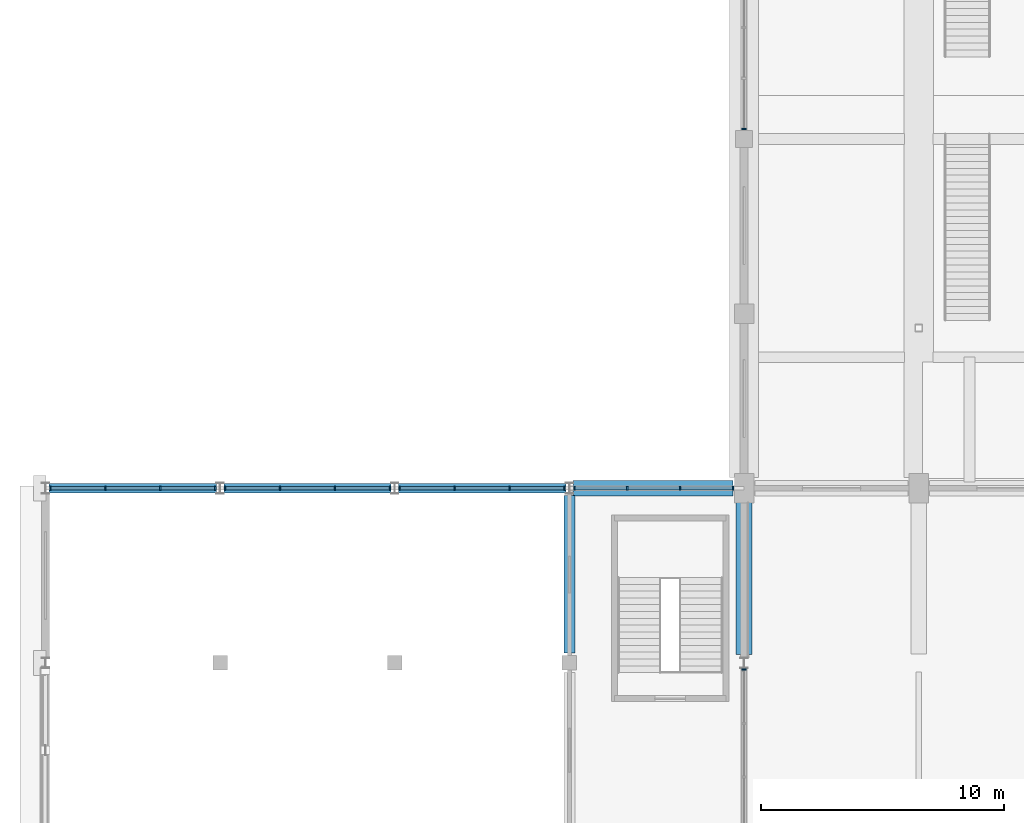
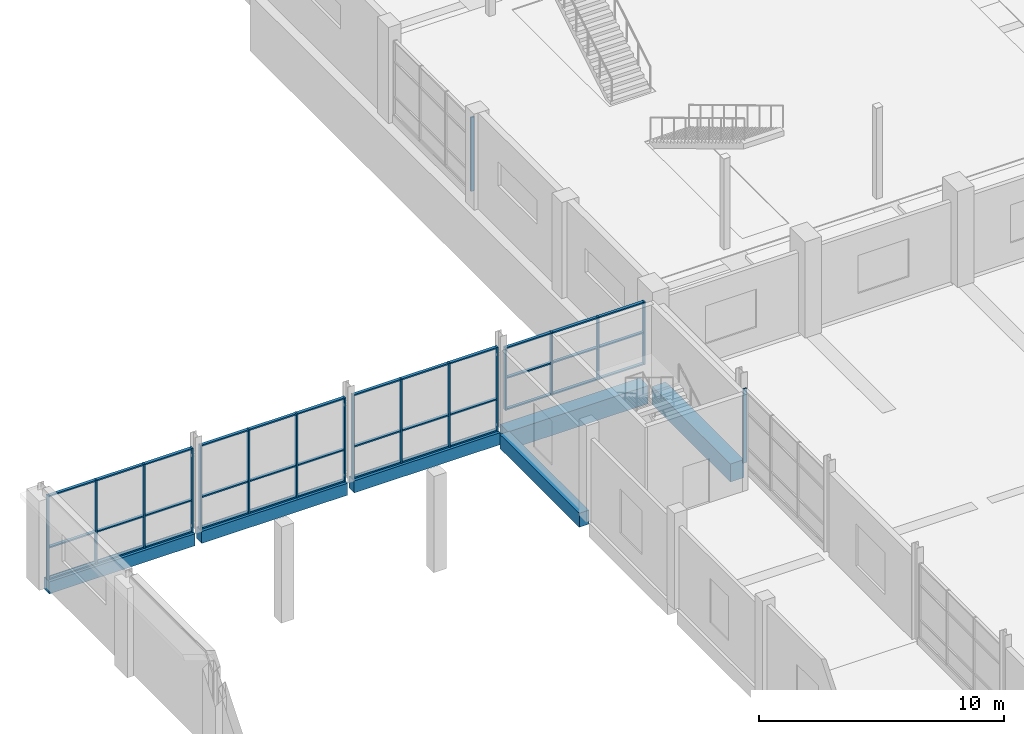
# One storey, part 33 of 82: 54 members, 6 beams, 6 elements without a shape of their own.
"""IFC4 building model written with IfcOpenShell, lengths in metres."""

from ifc_helpers import new_model, si_unit, direction, frame, origin, origin_2d, place, context, subcontext, project, spatial, rectangle, extrude, material, material_profile, profile_set, type_object, element, aggregate, save


model = new_model("IFC4")

# Units and contexts
model_context = context("Model", 3, precision=1e-05, world=origin(), true_north=direction((0.0, 1.0)))
body_context = subcontext(model_context, "Body", "Model", "MODEL_VIEW")
ifc_project = project(units=[si_unit("LENGTHUNIT", "METRE"), si_unit("AREAUNIT", "SQUARE_METRE"), si_unit("VOLUMEUNIT", "CUBIC_METRE"), si_unit("PLANEANGLEUNIT", "RADIAN"), si_unit("MASSUNIT", "GRAM", prefix="KILO")], contexts=[model_context])

# Site, building, storey
site_placement = place(None, origin())
site = spatial("IfcSite", under=ifc_project, at=site_placement, CompositionType="ELEMENT")
building_placement = place(site_placement, origin())
building = spatial("IfcBuilding", under=site, at=building_placement, Name="Sardonyx Promenade Sports Hall", CompositionType="ELEMENT")
storey_placement = place(building_placement, frame((0.0, 0.0, 11.199951171875)))
storey = spatial("IfcBuildingStorey", under=building, at=storey_placement, Name="L02", CompositionType="ELEMENT", Elevation=11.199951171875)

# Beams
ifc_material_1 = material(Name="Concrete C50/60", Category="concrete")
ifc_material_profile_1 = material_profile(ifc_material_1, rectangle(XDim=0.64990234375, YDim=0.89990234375, at=origin_2d()))
ifc_profile_set_1 = profile_set([ifc_material_profile_1], Name="Concrete C50/60")
beam_type_1 = type_object("IfcBeamType", Name="Bm_Girder_RC900", PredefinedType="BEAM", material=ifc_profile_set_1)
beam_1_placement = place(storey_placement, frame((21.75, 72.0, -0.449951171875), z_axis=(1.0, 0.0, 0.0), x_axis=(0.0, 1.0, 0.0)))
element("IfcBeam", 1, at=beam_1_placement, inside=storey, type_object=beam_type_1, Name="Beam BG03 L02 #550", PredefinedType="BEAM", context=body_context, shape_type="SweptSolid", body=[
    extrude(rectangle(XDim=0.64990234375, YDim=0.89990234375, at=origin_2d()), origin(), (0.0, 0.0, 1.0), 6.60009765625),
])
beam_2_placement = place(storey_placement, frame((28.800048828125, 65.14990234375, -0.449951171875), z_axis=(0.0, 1.0, 0.0), x_axis=(-1.0, 0.0, 0.0)))
element("IfcBeam", 2, at=beam_2_placement, inside=storey, type_object=beam_type_1, Name="Beam BG03 L02 #588", PredefinedType="BEAM", context=body_context, shape_type="SweptSolid", body=[
    extrude(rectangle(XDim=0.64990234375, YDim=0.89990234375, at=origin_2d()), origin(), (0.0, 0.0, 1.0), 6.400146484375),
])
ifc_material_2 = material(Name="Concrete C40/50", Category="concrete")
ifc_material_profile_2 = material_profile(ifc_material_2, rectangle(XDim=0.449951171875, YDim=0.699951171875, at=origin_2d()))
ifc_profile_set_2 = profile_set([ifc_material_profile_2], Name="Concrete C40/50")
beam_type_2 = type_object("IfcBeamType", Name="Bm_Primary_RC700", PredefinedType="BEAM", material=ifc_profile_set_2)
beam_3_placement = place(storey_placement, frame((21.60009765625, 65.199951171875, -0.349853515625), z_axis=(0.0, 1.0, 0.0), x_axis=(-1.0, 0.0, 0.0)))
element("IfcBeam", 3, at=beam_3_placement, inside=storey, type_object=beam_type_2, Name="Beam BG01 L02 #578", PredefinedType="BEAM", context=body_context, shape_type="SweptSolid", body=[
    extrude(rectangle(XDim=0.449951171875, YDim=0.699951171875, at=origin_2d()), origin(), (0.0, 0.0, 1.0), 6.505126953125),
])
ifc_material_3 = material(Name="Concrete C40/50", Category="concrete")
ifc_material_profile_3 = material_profile(ifc_material_3, rectangle(XDim=0.39990234375, YDim=0.60009765625, at=origin_2d()))
ifc_profile_set_3 = profile_set([ifc_material_profile_3], Name="Concrete C40/50")
beam_type_3 = type_object("IfcBeamType", Name="Bm_Spandrel_RC600", PredefinedType="SPANDREL", material=ifc_profile_set_3)
beam_4_placement = place(storey_placement, frame((0.14990234375, 72.0, -0.300048828125), z_axis=(1.0, 0.0, 0.0), x_axis=(0.0, 1.0, 0.0)))
element("IfcBeam", 4, at=beam_4_placement, inside=storey, type_object=beam_type_3, Name="Beam SPB1 L02 #547", PredefinedType="SPANDREL", context=body_context, shape_type="SweptSolid", body=[
    extrude(rectangle(XDim=0.39990234375, YDim=0.60009765625, at=origin_2d()), origin(), (0.0, 0.0, 1.0), 6.900146484375),
])
for number, where, z_axis, x_axis, name in (
    (5, (7.35009765625, 72.0, -0.300048828125), (1.0, 0.0, 0.0), (0.0, 1.0, 0.0), "Beam SPB1 L02 #548"),
    (6, (14.550048828125, 72.0, -0.300048828125), (1.0, 0.0, 0.0), (0.0, 1.0, 0.0), "Beam SPB1 L02 #549"),
):
    element("IfcBeam", number, at=place(storey_placement, frame(where, z_axis=z_axis, x_axis=x_axis)), inside=storey, type_object=beam_type_3, Name=name, PredefinedType="SPANDREL", context=body_context, shape_type="SweptSolid", body=[
        extrude(rectangle(XDim=0.39990234375, YDim=0.60009765625, at=origin_2d()), origin(), (0.0, 0.0, 1.0), 6.89990234375),
    ])

# Curtain wall, members
ifc_material_4 = material(Name="Aluminium 6063-T6", Category="aluminium")
curtain_wall_type_1 = type_object("IfcCurtainWallType", Name="CW_Climb_Clerestory", PredefinedType="USERDEFINED", material=ifc_material_4)
curtain_wall_1_placement = place(storey_placement, origin())
curtain_wall_1 = element("IfcCurtainWall", 7, at=curtain_wall_1_placement, inside=storey, type_object=curtain_wall_type_1, Name="Curtain wall CW12 cw:L02:076", ObjectType="CURTAIN WALL", PredefinedType="USERDEFINED")
ifc_material_5 = material(Name="Aluminium 6063-T6", Category="aluminium")
ifc_material_profile_4 = material_profile(ifc_material_5, rectangle(XDim=0.06494140625, YDim=0.175048828125, at=origin_2d()))
ifc_profile_set_4 = profile_set([ifc_material_profile_4], Name="Aluminium 6063-T6")
member_type_1 = type_object("IfcMemberType", Name="CW_Mull_175", PredefinedType="MULLION", material=ifc_profile_set_4)
member_1_placement = place(storey_placement, frame((0.202392578125, 72.0, 0.0), z_axis=(0.0, 0.0, 1.0), x_axis=(1.0, 0.0, 0.0)))
member_1 = element("IfcMember", 8, at=member_1_placement, type_object=member_type_1, Name="Mullion CM02 cw:L02:076 #1", PredefinedType="MULLION", context=body_context, shape_type="SweptSolid", body=[
    extrude(rectangle(XDim=0.06494140625, YDim=0.175048828125, at=origin_2d()), origin(), (0.0, 0.0, 1.0), 4.199951171875),
])
member_2_placement = place(storey_placement, frame((2.467529296875, 72.0, 0.0), z_axis=(0.0, 0.0, 1.0), x_axis=(1.0, 0.0, 0.0)))
member_2 = element("IfcMember", 9, at=member_2_placement, type_object=member_type_1, Name="Mullion CM02 cw:L02:076 #2", PredefinedType="MULLION", context=body_context, shape_type="SweptSolid", body=[
    extrude(rectangle(XDim=0.06494140625, YDim=0.175048828125, at=origin_2d()), origin(), (0.0, 0.0, 1.0), 4.199951171875),
])
member_3_placement = place(storey_placement, frame((4.732421875, 72.0, 0.0), z_axis=(0.0, 0.0, 1.0), x_axis=(1.0, 0.0, 0.0)))
member_3 = element("IfcMember", 10, at=member_3_placement, type_object=member_type_1, Name="Mullion CM02 cw:L02:076 #3", PredefinedType="MULLION", context=body_context, shape_type="SweptSolid", body=[
    extrude(rectangle(XDim=0.06494140625, YDim=0.175048828125, at=origin_2d()), origin(), (0.0, 0.0, 1.0), 4.199951171875),
])
member_4_placement = place(storey_placement, frame((6.99755859375, 72.0, 0.0), z_axis=(0.0, 0.0, 1.0), x_axis=(1.0, 0.0, 0.0)))
member_4 = element("IfcMember", 11, at=member_4_placement, type_object=member_type_1, Name="Mullion CM02 cw:L02:076 #4", PredefinedType="MULLION", context=body_context, shape_type="SweptSolid", body=[
    extrude(rectangle(XDim=0.06494140625, YDim=0.175048828125, at=origin_2d()), origin(), (0.0, 0.0, 1.0), 4.199951171875),
])

curtain_wall_2_placement = place(storey_placement, origin())
curtain_wall_2 = element("IfcCurtainWall", 12, at=curtain_wall_2_placement, inside=storey, type_object=curtain_wall_type_1, Name="Curtain wall CW12 cw:L02:077", ObjectType="CURTAIN WALL", PredefinedType="USERDEFINED")
member_5_placement = place(storey_placement, frame((7.402587890625, 72.0, 0.0), z_axis=(0.0, 0.0, 1.0), x_axis=(1.0, 0.0, 0.0)))
member_5 = element("IfcMember", 13, at=member_5_placement, type_object=member_type_1, Name="Mullion CM02 cw:L02:077 #1", PredefinedType="MULLION", context=body_context, shape_type="SweptSolid", body=[
    extrude(rectangle(XDim=0.06494140625, YDim=0.175048828125, at=origin_2d()), origin(), (0.0, 0.0, 1.0), 4.199951171875),
])
member_6_placement = place(storey_placement, frame((9.66748046875, 72.0, 0.0), z_axis=(0.0, 0.0, 1.0), x_axis=(1.0, 0.0, 0.0)))
member_6 = element("IfcMember", 14, at=member_6_placement, type_object=member_type_1, Name="Mullion CM02 cw:L02:077 #2", PredefinedType="MULLION", context=body_context, shape_type="SweptSolid", body=[
    extrude(rectangle(XDim=0.06494140625, YDim=0.175048828125, at=origin_2d()), origin(), (0.0, 0.0, 1.0), 4.199951171875),
])
member_7_placement = place(storey_placement, frame((11.9326171875, 72.0, 0.0), z_axis=(0.0, 0.0, 1.0), x_axis=(1.0, 0.0, 0.0)))
member_7 = element("IfcMember", 15, at=member_7_placement, type_object=member_type_1, Name="Mullion CM02 cw:L02:077 #3", PredefinedType="MULLION", context=body_context, shape_type="SweptSolid", body=[
    extrude(rectangle(XDim=0.06494140625, YDim=0.175048828125, at=origin_2d()), origin(), (0.0, 0.0, 1.0), 4.199951171875),
])
member_8_placement = place(storey_placement, frame((14.197509765625, 72.0, 0.0), z_axis=(0.0, 0.0, 1.0), x_axis=(1.0, 0.0, 0.0)))
member_8 = element("IfcMember", 16, at=member_8_placement, type_object=member_type_1, Name="Mullion CM02 cw:L02:077 #4", PredefinedType="MULLION", context=body_context, shape_type="SweptSolid", body=[
    extrude(rectangle(XDim=0.06494140625, YDim=0.175048828125, at=origin_2d()), origin(), (0.0, 0.0, 1.0), 4.199951171875),
])

curtain_wall_3_placement = place(storey_placement, origin())
curtain_wall_3 = element("IfcCurtainWall", 17, at=curtain_wall_3_placement, inside=storey, type_object=curtain_wall_type_1, Name="Curtain wall CW12 cw:L02:078", ObjectType="CURTAIN WALL", PredefinedType="USERDEFINED")
member_9_placement = place(storey_placement, frame((14.6025390625, 72.0, 0.0), z_axis=(0.0, 0.0, 1.0), x_axis=(1.0, 0.0, 0.0)))
member_9 = element("IfcMember", 18, at=member_9_placement, type_object=member_type_1, Name="Mullion CM02 cw:L02:078 #1", PredefinedType="MULLION", context=body_context, shape_type="SweptSolid", body=[
    extrude(rectangle(XDim=0.06494140625, YDim=0.175048828125, at=origin_2d()), origin(), (0.0, 0.0, 1.0), 4.199951171875),
])
member_10_placement = place(storey_placement, frame((16.867431640625, 72.0, 0.0), z_axis=(0.0, 0.0, 1.0), x_axis=(1.0, 0.0, 0.0)))
member_10 = element("IfcMember", 19, at=member_10_placement, type_object=member_type_1, Name="Mullion CM02 cw:L02:078 #2", PredefinedType="MULLION", context=body_context, shape_type="SweptSolid", body=[
    extrude(rectangle(XDim=0.06494140625, YDim=0.175048828125, at=origin_2d()), origin(), (0.0, 0.0, 1.0), 4.199951171875),
])
member_11_placement = place(storey_placement, frame((19.132568359375, 72.0, 0.0), z_axis=(0.0, 0.0, 1.0), x_axis=(1.0, 0.0, 0.0)))
member_11 = element("IfcMember", 20, at=member_11_placement, type_object=member_type_1, Name="Mullion CM02 cw:L02:078 #3", PredefinedType="MULLION", context=body_context, shape_type="SweptSolid", body=[
    extrude(rectangle(XDim=0.06494140625, YDim=0.175048828125, at=origin_2d()), origin(), (0.0, 0.0, 1.0), 4.199951171875),
])
member_12_placement = place(storey_placement, frame((21.3974609375, 72.0, 0.0), z_axis=(0.0, 0.0, 1.0), x_axis=(1.0, 0.0, 0.0)))
member_12 = element("IfcMember", 21, at=member_12_placement, type_object=member_type_1, Name="Mullion CM02 cw:L02:078 #4", PredefinedType="MULLION", context=body_context, shape_type="SweptSolid", body=[
    extrude(rectangle(XDim=0.06494140625, YDim=0.175048828125, at=origin_2d()), origin(), (0.0, 0.0, 1.0), 4.199951171875),
])

curtain_wall_4_placement = place(storey_placement, origin())
curtain_wall_4 = element("IfcCurtainWall", 22, at=curtain_wall_4_placement, inside=storey, type_object=curtain_wall_type_1, Name="Curtain wall CW12 cw:L02:079", ObjectType="CURTAIN WALL", PredefinedType="USERDEFINED")
member_13_placement = place(storey_placement, frame((21.802490234375, 72.0, 0.900146484375), z_axis=(0.0, 0.0, 1.0), x_axis=(1.0, 0.0, 0.0)))
member_13 = element("IfcMember", 23, at=member_13_placement, type_object=member_type_1, Name="Mullion CM02 cw:L02:079 #1", PredefinedType="MULLION", context=body_context, shape_type="SweptSolid", body=[
    extrude(rectangle(XDim=0.06494140625, YDim=0.175048828125, at=origin_2d()), origin(), (0.0, 0.0, 1.0), 3.135009765625),
])
member_14_placement = place(storey_placement, frame((23.984130859375, 72.0, 0.900146484375), z_axis=(0.0, 0.0, 1.0), x_axis=(1.0, 0.0, 0.0)))
member_14 = element("IfcMember", 24, at=member_14_placement, type_object=member_type_1, Name="Mullion CM02 cw:L02:079 #2", PredefinedType="MULLION", context=body_context, shape_type="SweptSolid", body=[
    extrude(rectangle(XDim=0.06494140625, YDim=0.175048828125, at=origin_2d()), origin(), (0.0, 0.0, 1.0), 3.135009765625),
])
member_15_placement = place(storey_placement, frame((26.165771484375, 72.0, 0.900146484375), z_axis=(0.0, 0.0, 1.0), x_axis=(1.0, 0.0, 0.0)))
member_15 = element("IfcMember", 25, at=member_15_placement, type_object=member_type_1, Name="Mullion CM02 cw:L02:079 #3", PredefinedType="MULLION", context=body_context, shape_type="SweptSolid", body=[
    extrude(rectangle(XDim=0.06494140625, YDim=0.175048828125, at=origin_2d()), origin(), (0.0, 0.0, 1.0), 3.135009765625),
])
member_16_placement = place(storey_placement, frame((28.347412109375, 72.0, 0.900146484375), z_axis=(0.0, 0.0, 1.0), x_axis=(1.0, 0.0, 0.0)))
member_16 = element("IfcMember", 26, at=member_16_placement, type_object=member_type_1, Name="Mullion CM02 cw:L02:079 #4", PredefinedType="MULLION", context=body_context, shape_type="SweptSolid", body=[
    extrude(rectangle(XDim=0.06494140625, YDim=0.175048828125, at=origin_2d()), origin(), (0.0, 0.0, 1.0), 3.135009765625),
])

# Curtain wall, member
ifc_material_6 = material(Name="Aluminium 6063-T6", Category="aluminium")
curtain_wall_type_2 = type_object("IfcCurtainWallType", Name="CW_South_L02_640", PredefinedType="USERDEFINED", material=ifc_material_6)
curtain_wall_5_placement = place(storey_placement, origin())
curtain_wall_5 = element("IfcCurtainWall", 27, at=curtain_wall_5_placement, inside=storey, type_object=curtain_wall_type_2, Name="Curtain wall CW01 cw:L02:146", ObjectType="CURTAIN WALL", PredefinedType="USERDEFINED")
member_17_placement = place(storey_placement, frame((28.800048828125, 86.802490234375, 0.400146484375), z_axis=(0.0, 0.0, 1.0), x_axis=(0.0, 1.0, 0.0)))
member_17 = element("IfcMember", 28, at=member_17_placement, type_object=member_type_1, Name="Mullion CM02 cw:L02:146 #1", PredefinedType="MULLION", context=body_context, shape_type="SweptSolid", body=[
    extrude(rectangle(XDim=0.06494140625, YDim=0.175048828125, at=origin_2d()), origin(), (0.0, 0.0, 1.0), 3.699951171875),
])
aggregate(curtain_wall_5, [member_17])

curtain_wall_6_placement = place(storey_placement, origin())
curtain_wall_6 = element("IfcCurtainWall", 29, at=curtain_wall_6_placement, inside=storey, type_object=curtain_wall_type_2, Name="Curtain wall CW01 cw:L02:152", ObjectType="CURTAIN WALL", PredefinedType="USERDEFINED")
member_18_placement = place(storey_placement, frame((28.800048828125, 64.527587890625, 0.35009765625), z_axis=(0.0, 0.0, 1.0), x_axis=(0.0, -1.0, 0.0)))
member_18 = element("IfcMember", 30, at=member_18_placement, type_object=member_type_1, Name="Mullion CM02 cw:L02:152 #1", PredefinedType="MULLION", context=body_context, shape_type="SweptSolid", body=[
    extrude(rectangle(XDim=0.06494140625, YDim=0.175048828125, at=origin_2d()), origin(), (0.0, 0.0, 1.0), 3.699951171875),
])
aggregate(curtain_wall_6, [member_18])

# Member
ifc_material_7 = material(Name="Aluminium 6063-T6", Category="aluminium")
ifc_material_profile_5 = material_profile(ifc_material_7, rectangle(XDim=0.06494140625, YDim=0.139892578125, at=origin_2d()))
ifc_profile_set_5 = profile_set([ifc_material_profile_5], Name="Aluminium 6063-T6")
member_type_2 = type_object("IfcMemberType", Name="CW_Tran_140", PredefinedType="USERDEFINED", material=ifc_profile_set_5)
member_19_placement = place(storey_placement, frame((0.235107421875, 72.0, 0.032470703125), z_axis=(1.0, 0.0, 0.0), x_axis=(0.0, 0.0, 1.0)))
member_19 = element("IfcMember", 31, at=member_19_placement, type_object=member_type_2, Name="Transom CT02 cw:L02:076 #1", ObjectType="TRANSOM", PredefinedType="USERDEFINED", context=body_context, shape_type="SweptSolid", body=[
    extrude(rectangle(XDim=0.06494140625, YDim=0.139892578125, at=origin_2d()), origin(), (0.0, 0.0, 1.0), 2.199951171875),
])

member_20_placement = place(storey_placement, frame((0.235107421875, 72.0, 1.60009765625), z_axis=(1.0, 0.0, 0.0), x_axis=(0.0, 0.0, 1.0)))
member_20 = element("IfcMember", 32, at=member_20_placement, type_object=member_type_2, Name="Transom CT02 cw:L02:076 #2", ObjectType="TRANSOM", PredefinedType="USERDEFINED", context=body_context, shape_type="SweptSolid", body=[
    extrude(rectangle(XDim=0.06494140625, YDim=0.139892578125, at=origin_2d()), origin(), (0.0, 0.0, 1.0), 2.199951171875),
])

member_21_placement = place(storey_placement, frame((0.235107421875, 72.0, 4.16748046875), z_axis=(1.0, 0.0, 0.0), x_axis=(0.0, 0.0, 1.0)))
member_21 = element("IfcMember", 33, at=member_21_placement, type_object=member_type_2, Name="Transom CT02 cw:L02:076 #3", ObjectType="TRANSOM", PredefinedType="USERDEFINED", context=body_context, shape_type="SweptSolid", body=[
    extrude(rectangle(XDim=0.06494140625, YDim=0.139892578125, at=origin_2d()), origin(), (0.0, 0.0, 1.0), 2.199951171875),
])

member_22_placement = place(storey_placement, frame((2.5, 72.0, 0.032470703125), z_axis=(1.0, 0.0, 0.0), x_axis=(0.0, 0.0, 1.0)))
member_22 = element("IfcMember", 34, at=member_22_placement, type_object=member_type_2, Name="Transom CT02 cw:L02:076 #4", ObjectType="TRANSOM", PredefinedType="USERDEFINED", context=body_context, shape_type="SweptSolid", body=[
    extrude(rectangle(XDim=0.06494140625, YDim=0.139892578125, at=origin_2d()), origin(), (0.0, 0.0, 1.0), 2.199951171875),
])

member_23_placement = place(storey_placement, frame((2.5, 72.0, 1.60009765625), z_axis=(1.0, 0.0, 0.0), x_axis=(0.0, 0.0, 1.0)))
member_23 = element("IfcMember", 35, at=member_23_placement, type_object=member_type_2, Name="Transom CT02 cw:L02:076 #5", ObjectType="TRANSOM", PredefinedType="USERDEFINED", context=body_context, shape_type="SweptSolid", body=[
    extrude(rectangle(XDim=0.06494140625, YDim=0.139892578125, at=origin_2d()), origin(), (0.0, 0.0, 1.0), 2.199951171875),
])

member_24_placement = place(storey_placement, frame((2.5, 72.0, 4.16748046875), z_axis=(1.0, 0.0, 0.0), x_axis=(0.0, 0.0, 1.0)))
member_24 = element("IfcMember", 36, at=member_24_placement, type_object=member_type_2, Name="Transom CT02 cw:L02:076 #6", ObjectType="TRANSOM", PredefinedType="USERDEFINED", context=body_context, shape_type="SweptSolid", body=[
    extrude(rectangle(XDim=0.06494140625, YDim=0.139892578125, at=origin_2d()), origin(), (0.0, 0.0, 1.0), 2.199951171875),
])

member_25_placement = place(storey_placement, frame((4.764892578125, 72.0, 0.032470703125), z_axis=(1.0, 0.0, 0.0), x_axis=(0.0, 0.0, 1.0)))
member_25 = element("IfcMember", 37, at=member_25_placement, type_object=member_type_2, Name="Transom CT02 cw:L02:076 #7", ObjectType="TRANSOM", PredefinedType="USERDEFINED", context=body_context, shape_type="SweptSolid", body=[
    extrude(rectangle(XDim=0.06494140625, YDim=0.139892578125, at=origin_2d()), origin(), (0.0, 0.0, 1.0), 2.2001953125),
])

member_26_placement = place(storey_placement, frame((4.764892578125, 72.0, 1.60009765625), z_axis=(1.0, 0.0, 0.0), x_axis=(0.0, 0.0, 1.0)))
member_26 = element("IfcMember", 38, at=member_26_placement, type_object=member_type_2, Name="Transom CT02 cw:L02:076 #8", ObjectType="TRANSOM", PredefinedType="USERDEFINED", context=body_context, shape_type="SweptSolid", body=[
    extrude(rectangle(XDim=0.06494140625, YDim=0.139892578125, at=origin_2d()), origin(), (0.0, 0.0, 1.0), 2.2001953125),
])

member_27_placement = place(storey_placement, frame((4.764892578125, 72.0, 4.16748046875), z_axis=(1.0, 0.0, 0.0), x_axis=(0.0, 0.0, 1.0)))
member_27 = element("IfcMember", 39, at=member_27_placement, type_object=member_type_2, Name="Transom CT02 cw:L02:076 #9", ObjectType="TRANSOM", PredefinedType="USERDEFINED", context=body_context, shape_type="SweptSolid", body=[
    extrude(rectangle(XDim=0.06494140625, YDim=0.139892578125, at=origin_2d()), origin(), (0.0, 0.0, 1.0), 2.2001953125),
])

aggregate(curtain_wall_1, [member_1, member_2, member_3, member_4, member_19, member_20, member_21, member_22, member_23, member_24, member_25, member_26, member_27])

member_28_placement = place(storey_placement, frame((7.43505859375, 72.0, 0.032470703125), z_axis=(1.0, 0.0, 0.0), x_axis=(0.0, 0.0, 1.0)))
member_28 = element("IfcMember", 40, at=member_28_placement, type_object=member_type_2, Name="Transom CT02 cw:L02:077 #1", ObjectType="TRANSOM", PredefinedType="USERDEFINED", context=body_context, shape_type="SweptSolid", body=[
    extrude(rectangle(XDim=0.06494140625, YDim=0.139892578125, at=origin_2d()), origin(), (0.0, 0.0, 1.0), 2.199951171875),
])

member_29_placement = place(storey_placement, frame((7.43505859375, 72.0, 1.60009765625), z_axis=(1.0, 0.0, 0.0), x_axis=(0.0, 0.0, 1.0)))
member_29 = element("IfcMember", 41, at=member_29_placement, type_object=member_type_2, Name="Transom CT02 cw:L02:077 #2", ObjectType="TRANSOM", PredefinedType="USERDEFINED", context=body_context, shape_type="SweptSolid", body=[
    extrude(rectangle(XDim=0.06494140625, YDim=0.139892578125, at=origin_2d()), origin(), (0.0, 0.0, 1.0), 2.199951171875),
])

member_30_placement = place(storey_placement, frame((7.43505859375, 72.0, 4.16748046875), z_axis=(1.0, 0.0, 0.0), x_axis=(0.0, 0.0, 1.0)))
member_30 = element("IfcMember", 42, at=member_30_placement, type_object=member_type_2, Name="Transom CT02 cw:L02:077 #3", ObjectType="TRANSOM", PredefinedType="USERDEFINED", context=body_context, shape_type="SweptSolid", body=[
    extrude(rectangle(XDim=0.06494140625, YDim=0.139892578125, at=origin_2d()), origin(), (0.0, 0.0, 1.0), 2.199951171875),
])

member_31_placement = place(storey_placement, frame((9.699951171875, 72.0, 0.032470703125), z_axis=(1.0, 0.0, 0.0), x_axis=(0.0, 0.0, 1.0)))
member_31 = element("IfcMember", 43, at=member_31_placement, type_object=member_type_2, Name="Transom CT02 cw:L02:077 #4", ObjectType="TRANSOM", PredefinedType="USERDEFINED", context=body_context, shape_type="SweptSolid", body=[
    extrude(rectangle(XDim=0.06494140625, YDim=0.139892578125, at=origin_2d()), origin(), (0.0, 0.0, 1.0), 2.199951171875),
])

member_32_placement = place(storey_placement, frame((9.699951171875, 72.0, 1.60009765625), z_axis=(1.0, 0.0, 0.0), x_axis=(0.0, 0.0, 1.0)))
member_32 = element("IfcMember", 44, at=member_32_placement, type_object=member_type_2, Name="Transom CT02 cw:L02:077 #5", ObjectType="TRANSOM", PredefinedType="USERDEFINED", context=body_context, shape_type="SweptSolid", body=[
    extrude(rectangle(XDim=0.06494140625, YDim=0.139892578125, at=origin_2d()), origin(), (0.0, 0.0, 1.0), 2.199951171875),
])

member_33_placement = place(storey_placement, frame((9.699951171875, 72.0, 4.16748046875), z_axis=(1.0, 0.0, 0.0), x_axis=(0.0, 0.0, 1.0)))
member_33 = element("IfcMember", 45, at=member_33_placement, type_object=member_type_2, Name="Transom CT02 cw:L02:077 #6", ObjectType="TRANSOM", PredefinedType="USERDEFINED", context=body_context, shape_type="SweptSolid", body=[
    extrude(rectangle(XDim=0.06494140625, YDim=0.139892578125, at=origin_2d()), origin(), (0.0, 0.0, 1.0), 2.199951171875),
])

member_34_placement = place(storey_placement, frame((11.965087890625, 72.0, 0.032470703125), z_axis=(1.0, 0.0, 0.0), x_axis=(0.0, 0.0, 1.0)))
member_34 = element("IfcMember", 46, at=member_34_placement, type_object=member_type_2, Name="Transom CT02 cw:L02:077 #7", ObjectType="TRANSOM", PredefinedType="USERDEFINED", context=body_context, shape_type="SweptSolid", body=[
    extrude(rectangle(XDim=0.06494140625, YDim=0.139892578125, at=origin_2d()), origin(), (0.0, 0.0, 1.0), 2.199951171875),
])

member_35_placement = place(storey_placement, frame((11.965087890625, 72.0, 1.60009765625), z_axis=(1.0, 0.0, 0.0), x_axis=(0.0, 0.0, 1.0)))
member_35 = element("IfcMember", 47, at=member_35_placement, type_object=member_type_2, Name="Transom CT02 cw:L02:077 #8", ObjectType="TRANSOM", PredefinedType="USERDEFINED", context=body_context, shape_type="SweptSolid", body=[
    extrude(rectangle(XDim=0.06494140625, YDim=0.139892578125, at=origin_2d()), origin(), (0.0, 0.0, 1.0), 2.199951171875),
])

member_36_placement = place(storey_placement, frame((11.965087890625, 72.0, 4.16748046875), z_axis=(1.0, 0.0, 0.0), x_axis=(0.0, 0.0, 1.0)))
member_36 = element("IfcMember", 48, at=member_36_placement, type_object=member_type_2, Name="Transom CT02 cw:L02:077 #9", ObjectType="TRANSOM", PredefinedType="USERDEFINED", context=body_context, shape_type="SweptSolid", body=[
    extrude(rectangle(XDim=0.06494140625, YDim=0.139892578125, at=origin_2d()), origin(), (0.0, 0.0, 1.0), 2.199951171875),
])

aggregate(curtain_wall_2, [member_5, member_6, member_7, member_8, member_28, member_29, member_30, member_31, member_32, member_33, member_34, member_35, member_36])

member_37_placement = place(storey_placement, frame((14.635009765625, 72.0, 0.032470703125), z_axis=(1.0, 0.0, 0.0), x_axis=(0.0, 0.0, 1.0)))
member_37 = element("IfcMember", 49, at=member_37_placement, type_object=member_type_2, Name="Transom CT02 cw:L02:078 #1", ObjectType="TRANSOM", PredefinedType="USERDEFINED", context=body_context, shape_type="SweptSolid", body=[
    extrude(rectangle(XDim=0.06494140625, YDim=0.139892578125, at=origin_2d()), origin(), (0.0, 0.0, 1.0), 2.199951171875),
])

member_38_placement = place(storey_placement, frame((14.635009765625, 72.0, 1.60009765625), z_axis=(1.0, 0.0, 0.0), x_axis=(0.0, 0.0, 1.0)))
member_38 = element("IfcMember", 50, at=member_38_placement, type_object=member_type_2, Name="Transom CT02 cw:L02:078 #2", ObjectType="TRANSOM", PredefinedType="USERDEFINED", context=body_context, shape_type="SweptSolid", body=[
    extrude(rectangle(XDim=0.06494140625, YDim=0.139892578125, at=origin_2d()), origin(), (0.0, 0.0, 1.0), 2.199951171875),
])

member_39_placement = place(storey_placement, frame((14.635009765625, 72.0, 4.16748046875), z_axis=(1.0, 0.0, 0.0), x_axis=(0.0, 0.0, 1.0)))
member_39 = element("IfcMember", 51, at=member_39_placement, type_object=member_type_2, Name="Transom CT02 cw:L02:078 #3", ObjectType="TRANSOM", PredefinedType="USERDEFINED", context=body_context, shape_type="SweptSolid", body=[
    extrude(rectangle(XDim=0.06494140625, YDim=0.139892578125, at=origin_2d()), origin(), (0.0, 0.0, 1.0), 2.199951171875),
])

member_40_placement = place(storey_placement, frame((16.89990234375, 72.0, 0.032470703125), z_axis=(1.0, 0.0, 0.0), x_axis=(0.0, 0.0, 1.0)))
member_40 = element("IfcMember", 52, at=member_40_placement, type_object=member_type_2, Name="Transom CT02 cw:L02:078 #4", ObjectType="TRANSOM", PredefinedType="USERDEFINED", context=body_context, shape_type="SweptSolid", body=[
    extrude(rectangle(XDim=0.06494140625, YDim=0.139892578125, at=origin_2d()), origin(), (0.0, 0.0, 1.0), 2.2001953125),
])

member_41_placement = place(storey_placement, frame((16.89990234375, 72.0, 1.60009765625), z_axis=(1.0, 0.0, 0.0), x_axis=(0.0, 0.0, 1.0)))
member_41 = element("IfcMember", 53, at=member_41_placement, type_object=member_type_2, Name="Transom CT02 cw:L02:078 #5", ObjectType="TRANSOM", PredefinedType="USERDEFINED", context=body_context, shape_type="SweptSolid", body=[
    extrude(rectangle(XDim=0.06494140625, YDim=0.139892578125, at=origin_2d()), origin(), (0.0, 0.0, 1.0), 2.2001953125),
])

member_42_placement = place(storey_placement, frame((16.89990234375, 72.0, 4.16748046875), z_axis=(1.0, 0.0, 0.0), x_axis=(0.0, 0.0, 1.0)))
member_42 = element("IfcMember", 54, at=member_42_placement, type_object=member_type_2, Name="Transom CT02 cw:L02:078 #6", ObjectType="TRANSOM", PredefinedType="USERDEFINED", context=body_context, shape_type="SweptSolid", body=[
    extrude(rectangle(XDim=0.06494140625, YDim=0.139892578125, at=origin_2d()), origin(), (0.0, 0.0, 1.0), 2.2001953125),
])

member_43_placement = place(storey_placement, frame((19.1650390625, 72.0, 0.032470703125), z_axis=(1.0, 0.0, 0.0), x_axis=(0.0, 0.0, 1.0)))
member_43 = element("IfcMember", 55, at=member_43_placement, type_object=member_type_2, Name="Transom CT02 cw:L02:078 #7", ObjectType="TRANSOM", PredefinedType="USERDEFINED", context=body_context, shape_type="SweptSolid", body=[
    extrude(rectangle(XDim=0.06494140625, YDim=0.139892578125, at=origin_2d()), origin(), (0.0, 0.0, 1.0), 2.199951171875),
])

member_44_placement = place(storey_placement, frame((19.1650390625, 72.0, 1.60009765625), z_axis=(1.0, 0.0, 0.0), x_axis=(0.0, 0.0, 1.0)))
member_44 = element("IfcMember", 56, at=member_44_placement, type_object=member_type_2, Name="Transom CT02 cw:L02:078 #8", ObjectType="TRANSOM", PredefinedType="USERDEFINED", context=body_context, shape_type="SweptSolid", body=[
    extrude(rectangle(XDim=0.06494140625, YDim=0.139892578125, at=origin_2d()), origin(), (0.0, 0.0, 1.0), 2.199951171875),
])

member_45_placement = place(storey_placement, frame((19.1650390625, 72.0, 4.16748046875), z_axis=(1.0, 0.0, 0.0), x_axis=(0.0, 0.0, 1.0)))
member_45 = element("IfcMember", 57, at=member_45_placement, type_object=member_type_2, Name="Transom CT02 cw:L02:078 #9", ObjectType="TRANSOM", PredefinedType="USERDEFINED", context=body_context, shape_type="SweptSolid", body=[
    extrude(rectangle(XDim=0.06494140625, YDim=0.139892578125, at=origin_2d()), origin(), (0.0, 0.0, 1.0), 2.199951171875),
])

aggregate(curtain_wall_3, [member_9, member_10, member_11, member_12, member_37, member_38, member_39, member_40, member_41, member_42, member_43, member_44, member_45])

member_46_placement = place(storey_placement, frame((21.8349609375, 72.0, 0.9326171875), z_axis=(1.0, 0.0, 0.0), x_axis=(0.0, 0.0, 1.0)))
member_46 = element("IfcMember", 58, at=member_46_placement, type_object=member_type_2, Name="Transom CT02 cw:L02:079 #1", ObjectType="TRANSOM", PredefinedType="USERDEFINED", context=body_context, shape_type="SweptSolid", body=[
    extrude(rectangle(XDim=0.06494140625, YDim=0.139892578125, at=origin_2d()), origin(), (0.0, 0.0, 1.0), 2.11669921875),
])

member_47_placement = place(storey_placement, frame((21.8349609375, 72.0, 2.5), z_axis=(1.0, 0.0, 0.0), x_axis=(0.0, 0.0, 1.0)))
member_47 = element("IfcMember", 59, at=member_47_placement, type_object=member_type_2, Name="Transom CT02 cw:L02:079 #2", ObjectType="TRANSOM", PredefinedType="USERDEFINED", context=body_context, shape_type="SweptSolid", body=[
    extrude(rectangle(XDim=0.06494140625, YDim=0.139892578125, at=origin_2d()), origin(), (0.0, 0.0, 1.0), 2.11669921875),
])

member_48_placement = place(storey_placement, frame((21.8349609375, 72.0, 4.00244140625), z_axis=(1.0, 0.0, 0.0), x_axis=(0.0, 0.0, 1.0)))
member_48 = element("IfcMember", 60, at=member_48_placement, type_object=member_type_2, Name="Transom CT02 cw:L02:079 #3", ObjectType="TRANSOM", PredefinedType="USERDEFINED", context=body_context, shape_type="SweptSolid", body=[
    extrude(rectangle(XDim=0.06494140625, YDim=0.139892578125, at=origin_2d()), origin(), (0.0, 0.0, 1.0), 2.11669921875),
])

member_49_placement = place(storey_placement, frame((24.0166015625, 72.0, 0.9326171875), z_axis=(1.0, 0.0, 0.0), x_axis=(0.0, 0.0, 1.0)))
member_49 = element("IfcMember", 61, at=member_49_placement, type_object=member_type_2, Name="Transom CT02 cw:L02:079 #4", ObjectType="TRANSOM", PredefinedType="USERDEFINED", context=body_context, shape_type="SweptSolid", body=[
    extrude(rectangle(XDim=0.06494140625, YDim=0.139892578125, at=origin_2d()), origin(), (0.0, 0.0, 1.0), 2.11669921875),
])

member_50_placement = place(storey_placement, frame((24.0166015625, 72.0, 2.5), z_axis=(1.0, 0.0, 0.0), x_axis=(0.0, 0.0, 1.0)))
member_50 = element("IfcMember", 62, at=member_50_placement, type_object=member_type_2, Name="Transom CT02 cw:L02:079 #5", ObjectType="TRANSOM", PredefinedType="USERDEFINED", context=body_context, shape_type="SweptSolid", body=[
    extrude(rectangle(XDim=0.06494140625, YDim=0.139892578125, at=origin_2d()), origin(), (0.0, 0.0, 1.0), 2.11669921875),
])

member_51_placement = place(storey_placement, frame((24.0166015625, 72.0, 4.00244140625), z_axis=(1.0, 0.0, 0.0), x_axis=(0.0, 0.0, 1.0)))
member_51 = element("IfcMember", 63, at=member_51_placement, type_object=member_type_2, Name="Transom CT02 cw:L02:079 #6", ObjectType="TRANSOM", PredefinedType="USERDEFINED", context=body_context, shape_type="SweptSolid", body=[
    extrude(rectangle(XDim=0.06494140625, YDim=0.139892578125, at=origin_2d()), origin(), (0.0, 0.0, 1.0), 2.11669921875),
])

member_52_placement = place(storey_placement, frame((26.1982421875, 72.0, 0.9326171875), z_axis=(1.0, 0.0, 0.0), x_axis=(0.0, 0.0, 1.0)))
member_52 = element("IfcMember", 64, at=member_52_placement, type_object=member_type_2, Name="Transom CT02 cw:L02:079 #7", ObjectType="TRANSOM", PredefinedType="USERDEFINED", context=body_context, shape_type="SweptSolid", body=[
    extrude(rectangle(XDim=0.06494140625, YDim=0.139892578125, at=origin_2d()), origin(), (0.0, 0.0, 1.0), 2.11669921875),
])

member_53_placement = place(storey_placement, frame((26.1982421875, 72.0, 2.5), z_axis=(1.0, 0.0, 0.0), x_axis=(0.0, 0.0, 1.0)))
member_53 = element("IfcMember", 65, at=member_53_placement, type_object=member_type_2, Name="Transom CT02 cw:L02:079 #8", ObjectType="TRANSOM", PredefinedType="USERDEFINED", context=body_context, shape_type="SweptSolid", body=[
    extrude(rectangle(XDim=0.06494140625, YDim=0.139892578125, at=origin_2d()), origin(), (0.0, 0.0, 1.0), 2.11669921875),
])

member_54_placement = place(storey_placement, frame((26.1982421875, 72.0, 4.00244140625), z_axis=(1.0, 0.0, 0.0), x_axis=(0.0, 0.0, 1.0)))
member_54 = element("IfcMember", 66, at=member_54_placement, type_object=member_type_2, Name="Transom CT02 cw:L02:079 #9", ObjectType="TRANSOM", PredefinedType="USERDEFINED", context=body_context, shape_type="SweptSolid", body=[
    extrude(rectangle(XDim=0.06494140625, YDim=0.139892578125, at=origin_2d()), origin(), (0.0, 0.0, 1.0), 2.11669921875),
])

aggregate(curtain_wall_4, [member_13, member_14, member_15, member_16, member_46, member_47, member_48, member_49, member_50, member_51, member_52, member_53, member_54])

save(model, "model.ifc")
